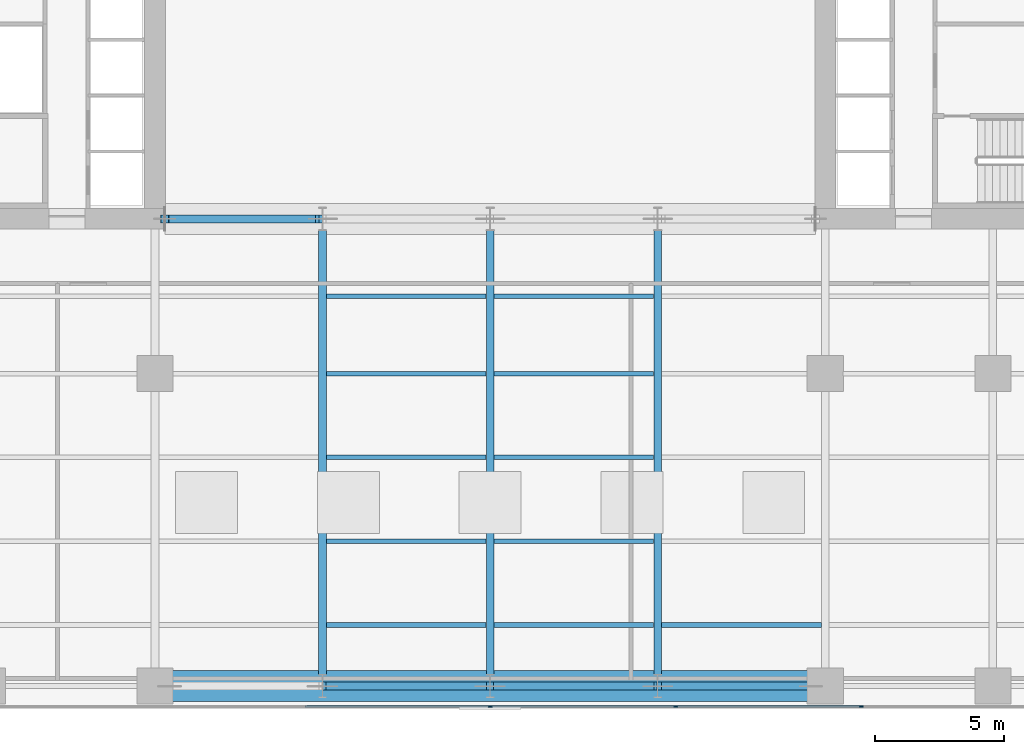
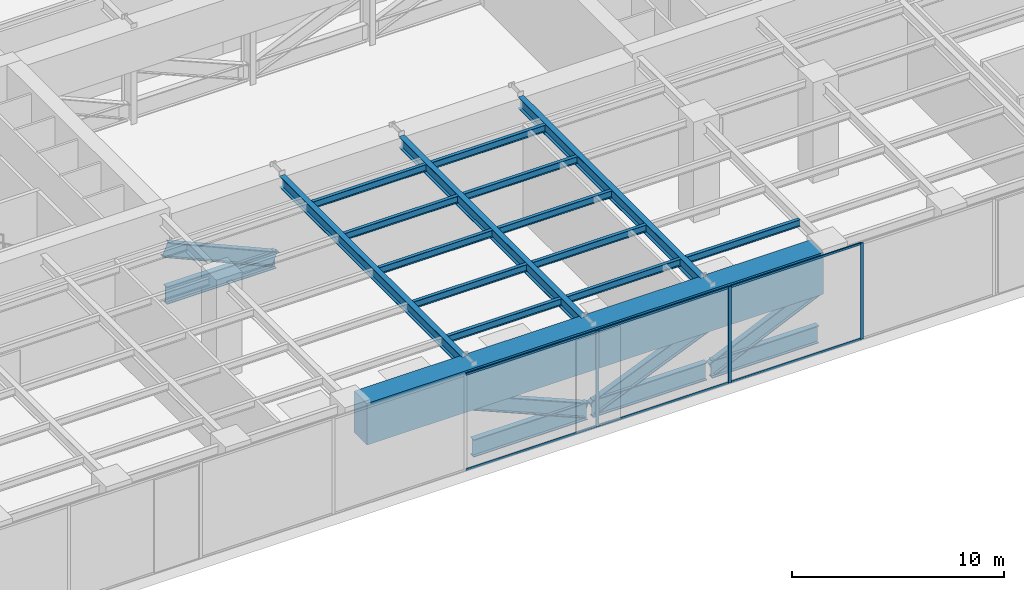
# One storey, part 6 of 25: 19 beams, 13 members, 1 element without a shape of its own.
"""IFC4 building model written with IfcOpenShell, lengths in metres."""

from ifc_helpers import new_model, si_unit, direction, frame, origin, origin_2d, place, context, subcontext, project, spatial, rectangle, i_section, extrude, material, layer, layer_set, material_profile, profile_set, type_object, element, aggregate, save


model = new_model("IFC4")

# Units and contexts
model_context = context("Model", 3, precision=1e-05, world=origin(), true_north=direction((0.0, 1.0)))
body_context = subcontext(model_context, "Body", "Model", "MODEL_VIEW")
ifc_project = project(units=[si_unit("LENGTHUNIT", "METRE"), si_unit("AREAUNIT", "SQUARE_METRE"), si_unit("VOLUMEUNIT", "CUBIC_METRE"), si_unit("PLANEANGLEUNIT", "RADIAN"), si_unit("MASSUNIT", "GRAM", prefix="KILO")], contexts=[model_context])

# Site, building, storey
site_placement = place(None, origin())
site = spatial("IfcSite", under=ifc_project, at=site_placement, CompositionType="ELEMENT")
building_placement = place(site_placement, origin())
building = spatial("IfcBuilding", under=site, at=building_placement, Name="Putna Gate Headquarters", CompositionType="ELEMENT")
storey_placement = place(building_placement, frame((0.0, 0.0, 22.0)))
storey = spatial("IfcBuildingStorey", under=building, at=storey_placement, Name="L04", CompositionType="ELEMENT", Elevation=22.0)

# Beams
ifc_material_1 = material(Name="Steel S355J2", Category="steel")
ifc_material_profile_1 = material_profile(ifc_material_1, i_section(OverallWidth=0.300048828125, OverallDepth=0.64990234375, WebThickness=0.01611328125, FlangeThickness=0.031005859375, at=origin_2d()), Name="Steel S355J2")
ifc_profile_set_1 = profile_set([ifc_material_profile_1], Name="Steel S355J2")
beam_type_1 = type_object("IfcBeamType", Name="BM-GIRD-Z1-HEB650", PredefinedType="USERDEFINED", material=ifc_profile_set_1)
for number, where, z_axis, x_axis, name in (
    (1, (32.5, 1.322998046875, 5.22509765625), (0.0, 1.0, 0.0), (-1.0, 0.0, 0.0), "L04 South Primary Girder X32"),
    (2, (39.0, 1.322998046875, 5.22509765625), (0.0, 1.0, 0.0), (-1.0, 0.0, 0.0), "L04 South Primary Girder X39"),
    (3, (45.5, 1.322998046875, 5.22509765625), (0.0, 1.0, 0.0), (-1.0, 0.0, 0.0), "L04 South Primary Girder X45"),
):
    element("IfcBeam", number, at=place(storey_placement, frame(where, z_axis=z_axis, x_axis=x_axis)), inside=storey, type_object=beam_type_1, Name=name, ObjectType="GIRDER", PredefinedType="USERDEFINED", context=body_context, shape_type="SweptSolid", body=[
        extrude(i_section(OverallWidth=0.300048828125, OverallDepth=0.64990234375, WebThickness=0.01611328125, FlangeThickness=0.031005859375, at=origin_2d()), origin(), (0.0, 0.0, 1.0), 17.23388671875),
    ])
ifc_material_profile_2 = material_profile(ifc_material_1, i_section(OverallWidth=0.179931640625, OverallDepth=0.39990234375, WebThickness=0.008544921875, FlangeThickness=0.013427734375, at=origin_2d()), Name="Steel S355J2")
ifc_profile_set_2 = profile_set([ifc_material_profile_2], Name="Steel S355J2")
beam_type_2 = type_object("IfcBeamType", Name="BM-SEC-Z1-IPE400", PredefinedType="BEAM", material=ifc_profile_set_2)
for number, where, z_axis, x_axis, name in (
    (4, (32.654052734375, 3.25, 5.35009765625), (1.0, 0.0, 0.0), (0.0, 1.0, 0.0), "L04 South Secondary Beam 5"),
    (5, (32.654052734375, 6.5, 5.35009765625), (1.0, 0.0, 0.0), (0.0, 1.0, 0.0), "L04 South Secondary Beam 5"),
    (6, (32.654052734375, 9.75, 5.35009765625), (1.0, 0.0, 0.0), (0.0, 1.0, 0.0), "L04 South Secondary Beam 5"),
    (7, (32.654052734375, 13.0, 5.35009765625), (1.0, 0.0, 0.0), (0.0, 1.0, 0.0), "L04 South Secondary Beam 5"),
    (8, (32.654052734375, 16.0, 5.35009765625), (1.0, 0.0, 0.0), (0.0, 1.0, 0.0), "L04 South Secondary Beam 5"),
    (9, (39.154052734375, 3.25, 5.35009765625), (1.0, 0.0, 0.0), (0.0, 1.0, 0.0), "L04 South Secondary Beam 6"),
    (10, (39.154052734375, 6.5, 5.35009765625), (1.0, 0.0, 0.0), (0.0, 1.0, 0.0), "L04 South Secondary Beam 6"),
    (11, (39.154052734375, 9.75, 5.35009765625), (1.0, 0.0, 0.0), (0.0, 1.0, 0.0), "L04 South Secondary Beam 6"),
    (12, (39.154052734375, 13.0, 5.35009765625), (1.0, 0.0, 0.0), (0.0, 1.0, 0.0), "L04 South Secondary Beam 6"),
    (13, (39.154052734375, 16.0, 5.35009765625), (1.0, 0.0, 0.0), (0.0, 1.0, 0.0), "L04 South Secondary Beam 6"),
    (14, (45.654052734375, 3.25, 5.35009765625), (1.0, 0.0, 0.0), (0.0, 1.0, 0.0), "L04 South Secondary Beam 7"),
):
    element("IfcBeam", number, at=place(storey_placement, frame(where, z_axis=z_axis, x_axis=x_axis)), inside=storey, type_object=beam_type_2, Name=name, PredefinedType="BEAM", context=body_context, shape_type="SweptSolid", body=[
        extrude(i_section(OverallWidth=0.179931640625, OverallDepth=0.39990234375, WebThickness=0.008544921875, FlangeThickness=0.013427734375, at=origin_2d()), origin(), (0.0, 0.0, 1.0), 6.19189453125),
    ])
ifc_material_2 = material(Name="Steel S460M", Category="steel")
ifc_material_profile_3 = material_profile(ifc_material_2, i_section(OverallWidth=0.302001953125, OverallDepth=1.008056640625, WebThickness=0.02099609375, FlangeThickness=0.0400390625, at=origin_2d()), Name="Steel S460M")
ifc_profile_set_3 = profile_set([ifc_material_profile_3], Name="Steel S460M")
beam_type_3 = type_object("IfcBeamType", Name="BM-TG-HEM1000", PredefinedType="USERDEFINED", material=ifc_profile_set_3)
beam_1_placement = place(storey_placement, frame((26.3798828125, 19.0, 0.550048828125), z_axis=(1.0, 0.0, 0.0), x_axis=(0.0, 1.0, 0.0)))
element("IfcBeam", 15, at=beam_1_placement, inside=storey, type_object=beam_type_3, Name="L04 Transfer Truss AS Bottom Chord Girder 1", ObjectType="GIRDER", PredefinedType="USERDEFINED", context=body_context, shape_type="SweptSolid", body=[
    extrude(i_section(OverallWidth=0.302001953125, OverallDepth=1.008056640625, WebThickness=0.02099609375, FlangeThickness=0.0400390625, at=origin_2d()), origin(), (0.0, 0.0, 1.0), 5.980224609375),
])
ifc_material_profile_4 = material_profile(ifc_material_2, i_section(OverallWidth=0.302001953125, OverallDepth=1.008056640625, WebThickness=0.02099609375, FlangeThickness=0.0400390625, at=origin_2d()), Name="Steel S460M")
ifc_profile_set_4 = profile_set([ifc_material_profile_4], Name="Steel S460M")
beam_type_4 = type_object("IfcBeamType", Name="BM-TG-HEM1000-EXT", PredefinedType="USERDEFINED", material=ifc_profile_set_4)
for number, where, z_axis, x_axis, name in (
    (16, (32.639892578125, 0.8798828125, 0.550048828125), (1.0, 0.0, 0.0), (0.0, 1.0, 0.0), "L04 Transfer Truss S Bottom Chord Girder 2"),
    (17, (39.139892578125, 0.8798828125, 0.550048828125), (1.0, 0.0, 0.0), (0.0, 1.0, 0.0), "L04 Transfer Truss S Bottom Chord Girder 3"),
):
    element("IfcBeam", number, at=place(storey_placement, frame(where, z_axis=z_axis, x_axis=x_axis)), inside=storey, type_object=beam_type_4, Name=name, ObjectType="GIRDER", PredefinedType="USERDEFINED", context=body_context, shape_type="SweptSolid", body=[
        extrude(i_section(OverallWidth=0.302001953125, OverallDepth=1.008056640625, WebThickness=0.02099609375, FlangeThickness=0.0400390625, at=origin_2d()), origin(), (0.0, 0.0, 1.0), 6.22021484375),
    ])
beam_2_placement = place(storey_placement, frame((45.639892578125, 0.8798828125, 0.550048828125), z_axis=(1.0, 0.0, 0.0), x_axis=(0.0, 1.0, 0.0)))
element("IfcBeam", 18, at=beam_2_placement, inside=storey, type_object=beam_type_4, Name="L04 Transfer Truss S Bottom Chord Girder 4", ObjectType="GIRDER", PredefinedType="USERDEFINED", context=body_context, shape_type="SweptSolid", body=[
    extrude(i_section(OverallWidth=0.302001953125, OverallDepth=1.008056640625, WebThickness=0.02099609375, FlangeThickness=0.0400390625, at=origin_2d()), origin(), (0.0, 0.0, 1.0), 5.800048828125),
])
ifc_material_3 = material(Name="Concrete C50/60", Category="concrete")
ifc_material_profile_5 = material_profile(ifc_material_3, rectangle(XDim=1.199951171875, YDim=2.39990234375, at=origin_2d()), Name="Concrete C50/60")
ifc_profile_set_5 = profile_set([ifc_material_profile_5], Name="Concrete C50/60")
beam_type_5 = type_object("IfcBeamType", Name="BM-TG-RC2400-EXT", PredefinedType="USERDEFINED", material=ifc_profile_set_5)
beam_3_placement = place(storey_placement, frame((26.56005859375, 0.8798828125, 4.35009765625), z_axis=(1.0, 0.0, 0.0), x_axis=(0.0, 1.0, 0.0)))
element("IfcBeam", 19, at=beam_3_placement, inside=storey, type_object=beam_type_5, Name="L04 Upper Transfer Girder S", ObjectType="GIRDER", PredefinedType="USERDEFINED", context=body_context, shape_type="SweptSolid", body=[
    extrude(rectangle(XDim=1.199951171875, YDim=2.39990234375, at=origin_2d()), origin(), (0.0, 0.0, 1.0), 24.8798828125),
])

# Members
ifc_material_profile_6 = material_profile(ifc_material_2, i_section(OverallWidth=0.302978515625, OverallDepth=0.81396484375, WebThickness=0.02099609375, FlangeThickness=0.0400390625, at=origin_2d()), Name="Steel S460M")
ifc_profile_set_6 = profile_set([ifc_material_profile_6], Name="Steel S460M")
member_type_1 = type_object("IfcMemberType", Name="MEM-TRUSS-DIAG-EXT-HEM800", PredefinedType="BRACE", material=ifc_profile_set_6)
for number, where, z_axis, x_axis, name in (
    (20, (32.639892578125, 0.8798828125, 3.179931640625), (0.921060029632, 0.0, -0.389420623251), (0.0, 1.0, 0.0), "L04 Transfer Truss S Diagonal 2"),
    (21, (39.139892578125, 0.8798828125, 0.550048828125), (0.921060029632, 0.0, 0.389420623251), (0.0, 1.0, 0.0), "L04 Transfer Truss S Diagonal 3"),
):
    element("IfcMember", number, at=place(storey_placement, frame(where, z_axis=z_axis, x_axis=x_axis)), inside=storey, type_object=member_type_1, Name=name, PredefinedType="BRACE", context=body_context, shape_type="SweptSolid", body=[
        extrude(i_section(OverallWidth=0.302978515625, OverallDepth=0.81396484375, WebThickness=0.02099609375, FlangeThickness=0.0400390625, at=origin_2d()), origin(), (0.0, 0.0, 1.0), 6.75341796875),
    ])
member_1_placement = place(storey_placement, frame((45.639892578125, 0.8798828125, 0.550048828125), z_axis=(0.910750758001, 0.0, 0.412956482939), x_axis=(0.0, 1.0, 0.0)))
element("IfcMember", 22, at=member_1_placement, inside=storey, type_object=member_type_1, Name="L04 Transfer Truss S Diagonal 4", PredefinedType="BRACE", context=body_context, shape_type="SweptSolid", body=[
    extrude(i_section(OverallWidth=0.302978515625, OverallDepth=0.81396484375, WebThickness=0.02099609375, FlangeThickness=0.0400390625, at=origin_2d()), origin(), (0.0, 0.0, 1.0), 6.368408203125),
])
ifc_material_profile_7 = material_profile(ifc_material_2, i_section(OverallWidth=0.302978515625, OverallDepth=0.81396484375, WebThickness=0.02099609375, FlangeThickness=0.0400390625, at=origin_2d()), Name="Steel S460M")
ifc_profile_set_7 = profile_set([ifc_material_profile_7], Name="Steel S460M")
member_type_2 = type_object("IfcMemberType", Name="MEM-TRUSS-DIAG-HEM800", PredefinedType="BRACE", material=ifc_profile_set_7)
member_2_placement = place(storey_placement, frame((26.3798828125, 19.0, 3.179931640625), z_axis=(0.915394915537, 0.0, -0.402557012867), x_axis=(0.0, 1.0, 0.0)))
element("IfcMember", 23, at=member_2_placement, inside=storey, type_object=member_type_2, Name="L04 Transfer Truss AS Diagonal 1", PredefinedType="BRACE", context=body_context, shape_type="SweptSolid", body=[
    extrude(i_section(OverallWidth=0.302978515625, OverallDepth=0.81396484375, WebThickness=0.02099609375, FlangeThickness=0.0400390625, at=origin_2d()), origin(), (0.0, 0.0, 1.0), 6.532958984375),
])

# Curtain wall, members
ifc_material_4 = material(Name="Anodised bronze aluminium curtain wall", Category="aluminium")
ifc_layer = layer(ifc_material_4, 0.159912109375)
ifc_layer_set = layer_set([ifc_layer], Name="Anodised bronze aluminium curtain wall")
curtain_wall_type = type_object("IfcCurtainWallType", Name="CW-SYS-CRN", PredefinedType="USERDEFINED", material=ifc_layer_set)
curtain_wall_placement = place(storey_placement, origin())
curtain_wall = element("IfcCurtainWall", 24, at=curtain_wall_placement, inside=storey, type_object=curtain_wall_type, Name="L04 Acoustic Louvre South Enclosure", ObjectType="STICK CURTAIN WALL", PredefinedType="USERDEFINED")
ifc_material_5 = material(Name="Anodised bronze aluminium EN AW-6060", Category="aluminium")
ifc_material_profile_8 = material_profile(ifc_material_5, rectangle(XDim=0.06494140625, YDim=0.159912109375, at=origin_2d()), Name="Anodised bronze aluminium EN AW-6060")
ifc_profile_set_8 = profile_set([ifc_material_profile_8], Name="Anodised bronze aluminium EN AW-6060")
member_type_3 = type_object("IfcMemberType", Name="MULL-CWM-CR", PredefinedType="MULLION", material=ifc_profile_set_8)
member_3_placement = place(storey_placement, frame((39.0, 0.080078125, 0.0), z_axis=(0.0, 0.0, 1.0), x_axis=(0.0, 1.0, 0.0)))
member_3 = element("IfcMember", 25, at=member_3_placement, type_object=member_type_3, Name="CWS-CR mullion 6", PredefinedType="MULLION", context=body_context, shape_type="SweptSolid", body=[
    extrude(rectangle(XDim=0.06494140625, YDim=0.159912109375, at=origin_2d()), origin(), (0.0, 0.0, 1.0), 5.550048828125),
])
member_4_placement = place(storey_placement, frame((46.199951171875, 0.080078125, 0.0), z_axis=(0.0, 0.0, 1.0), x_axis=(0.0, 1.0, 0.0)))
member_4 = element("IfcMember", 26, at=member_4_placement, type_object=member_type_3, Name="CWS-CR mullion 7", PredefinedType="MULLION", context=body_context, shape_type="SweptSolid", body=[
    extrude(rectangle(XDim=0.06494140625, YDim=0.159912109375, at=origin_2d()), origin(), (0.0, 0.0, 1.0), 5.550048828125),
])
member_5_placement = place(storey_placement, frame((53.39990234375, 0.080078125, 0.0), z_axis=(0.0, 0.0, 1.0), x_axis=(0.0, 1.0, 0.0)))
member_5 = element("IfcMember", 27, at=member_5_placement, type_object=member_type_3, Name="CWS-CR mullion 8", PredefinedType="MULLION", context=body_context, shape_type="SweptSolid", body=[
    extrude(rectangle(XDim=0.06494140625, YDim=0.159912109375, at=origin_2d()), origin(), (0.0, 0.0, 1.0), 5.550048828125),
])
ifc_material_profile_9 = material_profile(ifc_material_5, rectangle(XDim=0.06494140625, YDim=0.1201171875, at=origin_2d()), Name="Anodised bronze aluminium EN AW-6060")
ifc_profile_set_9 = profile_set([ifc_material_profile_9], Name="Anodised bronze aluminium EN AW-6060")
member_type_4 = type_object("IfcMemberType", Name="TRAN-CWT-CR", PredefinedType="USERDEFINED", material=ifc_profile_set_9)
member_6_placement = place(storey_placement, frame((31.83251953125, 0.080078125, 0.032470703125), z_axis=(1.0, 0.0, 0.0), x_axis=(0.0, 1.0, 0.0)))
member_6 = element("IfcMember", 28, at=member_6_placement, type_object=member_type_4, Name="CWS-CR transom 5.1", ObjectType="TRANSOM", PredefinedType="USERDEFINED", context=body_context, shape_type="SweptSolid", body=[
    extrude(rectangle(XDim=0.06494140625, YDim=0.1201171875, at=origin_2d()), origin(), (0.0, 0.0, 1.0), 7.135009765625),
])
member_7_placement = place(storey_placement, frame((31.83251953125, 0.080078125, 5.517578125), z_axis=(1.0, 0.0, 0.0), x_axis=(0.0, 1.0, 0.0)))
member_7 = element("IfcMember", 29, at=member_7_placement, type_object=member_type_4, Name="CWS-CR transom 5.2", ObjectType="TRANSOM", PredefinedType="USERDEFINED", context=body_context, shape_type="SweptSolid", body=[
    extrude(rectangle(XDim=0.06494140625, YDim=0.1201171875, at=origin_2d()), origin(), (0.0, 0.0, 1.0), 7.135009765625),
])
member_8_placement = place(storey_placement, frame((39.032470703125, 0.080078125, 0.032470703125), z_axis=(1.0, 0.0, 0.0), x_axis=(0.0, 1.0, 0.0)))
member_8 = element("IfcMember", 30, at=member_8_placement, type_object=member_type_4, Name="CWS-CR transom 6.1", ObjectType="TRANSOM", PredefinedType="USERDEFINED", context=body_context, shape_type="SweptSolid", body=[
    extrude(rectangle(XDim=0.06494140625, YDim=0.1201171875, at=origin_2d()), origin(), (0.0, 0.0, 1.0), 7.135009765625),
])
member_9_placement = place(storey_placement, frame((39.032470703125, 0.080078125, 5.517578125), z_axis=(1.0, 0.0, 0.0), x_axis=(0.0, 1.0, 0.0)))
member_9 = element("IfcMember", 31, at=member_9_placement, type_object=member_type_4, Name="CWS-CR transom 6.2", ObjectType="TRANSOM", PredefinedType="USERDEFINED", context=body_context, shape_type="SweptSolid", body=[
    extrude(rectangle(XDim=0.06494140625, YDim=0.1201171875, at=origin_2d()), origin(), (0.0, 0.0, 1.0), 7.135009765625),
])
member_10_placement = place(storey_placement, frame((46.232421875, 0.080078125, 0.032470703125), z_axis=(1.0, 0.0, 0.0), x_axis=(0.0, 1.0, 0.0)))
member_10 = element("IfcMember", 32, at=member_10_placement, type_object=member_type_4, Name="CWS-CR transom 7.1", ObjectType="TRANSOM", PredefinedType="USERDEFINED", context=body_context, shape_type="SweptSolid", body=[
    extrude(rectangle(XDim=0.06494140625, YDim=0.1201171875, at=origin_2d()), origin(), (0.0, 0.0, 1.0), 7.135009765625),
])
member_11_placement = place(storey_placement, frame((46.232421875, 0.080078125, 5.517578125), z_axis=(1.0, 0.0, 0.0), x_axis=(0.0, 1.0, 0.0)))
member_11 = element("IfcMember", 33, at=member_11_placement, type_object=member_type_4, Name="CWS-CR transom 7.2", ObjectType="TRANSOM", PredefinedType="USERDEFINED", context=body_context, shape_type="SweptSolid", body=[
    extrude(rectangle(XDim=0.06494140625, YDim=0.1201171875, at=origin_2d()), origin(), (0.0, 0.0, 1.0), 7.135009765625),
])
aggregate(curtain_wall, [member_3, member_4, member_5, member_6, member_7, member_8, member_9, member_10, member_11])

save(model, "model.ifc")
